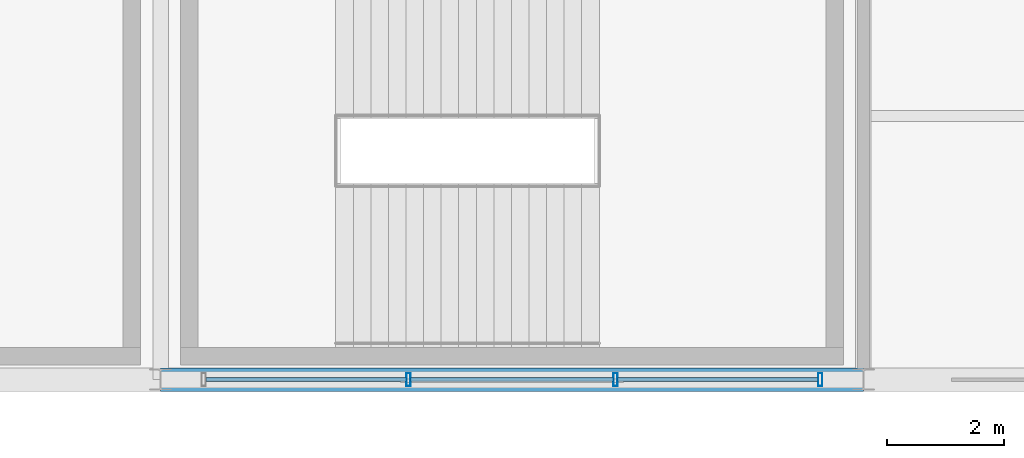
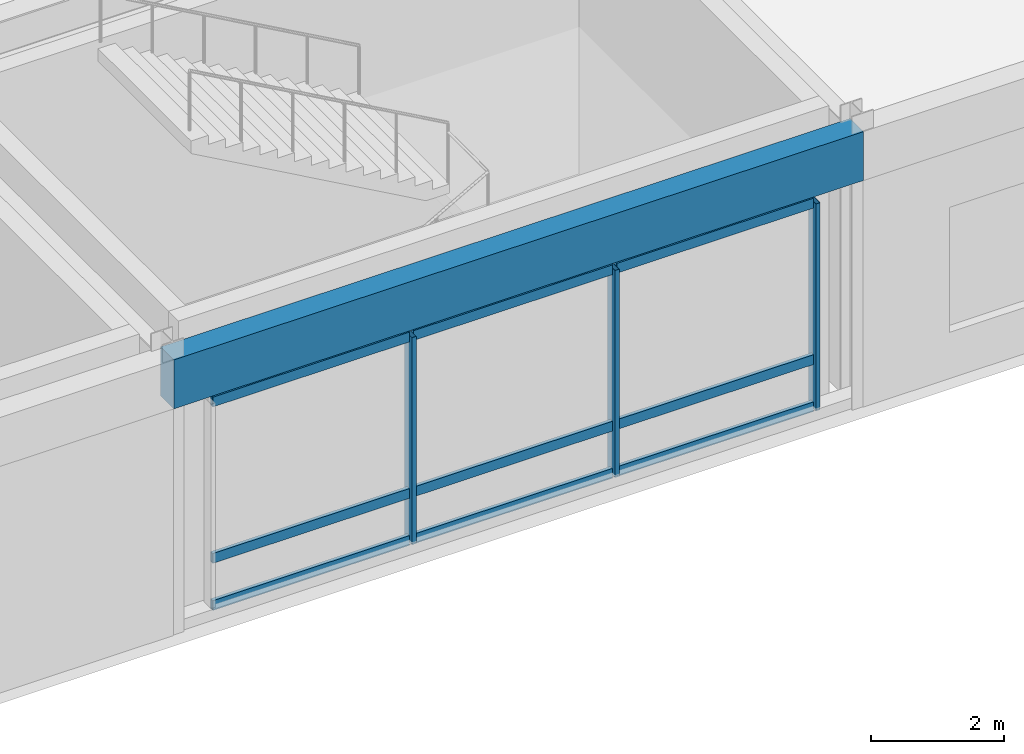
# One storey, part 38 of 100: 12 members, 1 beam, 1 element without a shape of its own.
"""IFC4 building model written with IfcOpenShell, lengths in metres."""

from ifc_helpers import new_model, si_unit, direction, frame, origin, origin_2d, place, context, subcontext, project, spatial, rectangle, hollow_rectangle, extrude, material, material_profile, profile_set, type_object, element, aggregate, save


model = new_model("IFC4")

# Units and contexts
model_context = context("Model", 3, precision=1e-05, world=origin(), true_north=direction((0.0, 1.0)))
body_context = subcontext(model_context, "Body", "Model", "MODEL_VIEW")
ifc_project = project(units=[si_unit("LENGTHUNIT", "METRE"), si_unit("AREAUNIT", "SQUARE_METRE"), si_unit("VOLUMEUNIT", "CUBIC_METRE"), si_unit("PLANEANGLEUNIT", "RADIAN"), si_unit("MASSUNIT", "GRAM", prefix="KILO")], contexts=[model_context])

# Site, building, storey
site_placement = place(None, origin())
site = spatial("IfcSite", under=ifc_project, at=site_placement, CompositionType="ELEMENT")
building_placement = place(site_placement, origin())
building = spatial("IfcBuilding", under=site, at=building_placement, Name="Kaldorvane Square Convention Centre", CompositionType="ELEMENT")
storey_placement = place(building_placement, frame((0.0, 0.0, 18.0)))
storey = spatial("IfcBuildingStorey", under=building, at=storey_placement, Name="L03", CompositionType="ELEMENT", Elevation=18.0)

# Beam
ifc_material_1 = material(Name="Concrete f'c = 42 MPa (Normalweight)", Category="concrete")
ifc_material_profile_1 = material_profile(ifc_material_1, rectangle(XDim=0.399993896484375, YDim=0.899993896484375, at=origin_2d()), Name="RCSP900X400")
ifc_profile_set_1 = profile_set([ifc_material_profile_1], Name="Concrete f'c = 42 MPa (Normalweight)")
beam_type = type_object("IfcBeamType", Name="BM-SP-RC900", PredefinedType="SPANDREL", material=ifc_profile_set_1)
beam_placement = place(storey_placement, frame((126.0, 0.0, 4.626007080078125), z_axis=(1.0, 0.0, 0.0), x_axis=(0.0, 1.0, 0.0)))
element("IfcBeam", 1, at=beam_placement, inside=storey, type_object=beam_type, Name="Perimeter Spandrel (L03)", PredefinedType="SPANDREL", context=body_context, shape_type="SweptSolid", body=[
    extrude(rectangle(XDim=0.399993896484375, YDim=0.899993896484375, at=origin_2d()), origin(), (0.0, 0.0, 1.0), 12.0),
])

# Curtain wall, members
ifc_material_2 = material(Name="Anodized Aluminum and Low-E Insulated Glazing", Category="aluminium")
curtain_wall_type = type_object("IfcCurtainWallType", Name="CW-UNI-P54-12", PredefinedType="USERDEFINED", material=ifc_material_2)
curtain_wall_placement = place(storey_placement, origin())
curtain_wall = element("IfcCurtainWall", 2, at=curtain_wall_placement, inside=storey, type_object=curtain_wall_type, Name="Curtain Wall CW-03 (L03)", ObjectType="UNITISED GLAZING", PredefinedType="USERDEFINED")
ifc_material_profile_2 = material_profile(ifc_material_2, hollow_rectangle(XDim=0.0749969482421875, YDim=0.220001220703125, WallThickness=0.003997802734375, at=origin_2d()), Name="CWM-220X75")
ifc_profile_set_2 = profile_set([ifc_material_profile_2], Name="Anodized Aluminum and Low-E Insulated Glazing")
member_type_1 = type_object("IfcMemberType", Name="CW-MUL-220", PredefinedType="MULLION", material=ifc_profile_set_2)
member_1_placement = place(storey_placement, frame((130.23333740234375, 0.0, 0.149993896484375), z_axis=(0.0, 0.0, 1.0), x_axis=(1.0, 0.0, 0.0)))
member_1 = element("IfcMember", 3, at=member_1_placement, type_object=member_type_1, Name="CW-03 mullion 2", PredefinedType="MULLION", context=body_context, shape_type="SweptSolid", body=[
    extrude(hollow_rectangle(XDim=0.0749969482421875, YDim=0.220001220703125, WallThickness=0.003997802734375, at=origin_2d()), origin(), (0.0, 0.0, 1.0), 3.8100128173828125),
])
member_2_placement = place(storey_placement, frame((133.76666259765625, 0.0, 0.149993896484375), z_axis=(0.0, 0.0, 1.0), x_axis=(1.0, 0.0, 0.0)))
member_2 = element("IfcMember", 4, at=member_2_placement, type_object=member_type_1, Name="CW-03 mullion 3", PredefinedType="MULLION", context=body_context, shape_type="SweptSolid", body=[
    extrude(hollow_rectangle(XDim=0.0749969482421875, YDim=0.220001220703125, WallThickness=0.003997802734375, at=origin_2d()), origin(), (0.0, 0.0, 1.0), 3.8100128173828125),
])
member_3_placement = place(storey_placement, frame((137.2624969482422, 0.0, 0.149993896484375), z_axis=(0.0, 0.0, 1.0), x_axis=(1.0, 0.0, 0.0)))
member_3 = element("IfcMember", 5, at=member_3_placement, type_object=member_type_1, Name="CW-03 mullion 4", PredefinedType="MULLION", context=body_context, shape_type="SweptSolid", body=[
    extrude(hollow_rectangle(XDim=0.0749969482421875, YDim=0.220001220703125, WallThickness=0.003997802734375, at=origin_2d()), origin(), (0.0, 0.0, 1.0), 3.8100128173828125),
])
ifc_material_profile_3 = material_profile(ifc_material_2, hollow_rectangle(XDim=0.06500244140625, YDim=0.17999267578125, WallThickness=0.0034942626953125, at=origin_2d()), Name="CWT-180X65")
ifc_profile_set_3 = profile_set([ifc_material_profile_3], Name="Anodized Aluminum and Low-E Insulated Glazing")
member_type_2 = type_object("IfcMemberType", Name="CW-TRN-180", PredefinedType="USERDEFINED", material=ifc_profile_set_3)
member_4_placement = place(storey_placement, frame((126.77499389648438, 0.0, 0.1824951171875), z_axis=(1.0, 0.0, 0.0), x_axis=(0.0, 1.0, 0.0)))
member_4 = element("IfcMember", 6, at=member_4_placement, type_object=member_type_2, Name="CW-03 transom 1.1", ObjectType="TRANSOM", PredefinedType="USERDEFINED", context=body_context, shape_type="SweptSolid", body=[
    extrude(hollow_rectangle(XDim=0.06500244140625, YDim=0.17999267578125, WallThickness=0.0034942626953125, at=origin_2d()), origin(), (0.0, 0.0, 1.0), 3.42083740234375),
])
member_5_placement = place(storey_placement, frame((126.77499389648438, 0.0, 1.0500030517578125), z_axis=(1.0, 0.0, 0.0), x_axis=(0.0, 1.0, 0.0)))
member_5 = element("IfcMember", 7, at=member_5_placement, type_object=member_type_2, Name="CW-03 transom 1.2", ObjectType="TRANSOM", PredefinedType="USERDEFINED", context=body_context, shape_type="SweptSolid", body=[
    extrude(hollow_rectangle(XDim=0.06500244140625, YDim=0.17999267578125, WallThickness=0.0034942626953125, at=origin_2d()), origin(), (0.0, 0.0, 1.0), 3.42083740234375),
])
member_6_placement = place(storey_placement, frame((126.77499389648438, 0.0, 3.9275054931640625), z_axis=(1.0, 0.0, 0.0), x_axis=(0.0, 1.0, 0.0)))
member_6 = element("IfcMember", 8, at=member_6_placement, type_object=member_type_2, Name="CW-03 transom 1.3", ObjectType="TRANSOM", PredefinedType="USERDEFINED", context=body_context, shape_type="SweptSolid", body=[
    extrude(hollow_rectangle(XDim=0.06500244140625, YDim=0.17999267578125, WallThickness=0.0034942626953125, at=origin_2d()), origin(), (0.0, 0.0, 1.0), 3.42083740234375),
])
member_7_placement = place(storey_placement, frame((130.2708282470703, 0.0, 0.1824951171875), z_axis=(1.0, 0.0, 0.0), x_axis=(0.0, 1.0, 0.0)))
member_7 = element("IfcMember", 9, at=member_7_placement, type_object=member_type_2, Name="CW-03 transom 2.1", ObjectType="TRANSOM", PredefinedType="USERDEFINED", context=body_context, shape_type="SweptSolid", body=[
    extrude(hollow_rectangle(XDim=0.06500244140625, YDim=0.17999267578125, WallThickness=0.0034942626953125, at=origin_2d()), origin(), (0.0, 0.0, 1.0), 3.458343505859375),
])
member_8_placement = place(storey_placement, frame((130.2708282470703, 0.0, 1.0500030517578125), z_axis=(1.0, 0.0, 0.0), x_axis=(0.0, 1.0, 0.0)))
member_8 = element("IfcMember", 10, at=member_8_placement, type_object=member_type_2, Name="CW-03 transom 2.2", ObjectType="TRANSOM", PredefinedType="USERDEFINED", context=body_context, shape_type="SweptSolid", body=[
    extrude(hollow_rectangle(XDim=0.06500244140625, YDim=0.17999267578125, WallThickness=0.0034942626953125, at=origin_2d()), origin(), (0.0, 0.0, 1.0), 3.458343505859375),
])
member_9_placement = place(storey_placement, frame((130.2708282470703, 0.0, 3.9275054931640625), z_axis=(1.0, 0.0, 0.0), x_axis=(0.0, 1.0, 0.0)))
member_9 = element("IfcMember", 11, at=member_9_placement, type_object=member_type_2, Name="CW-03 transom 2.3", ObjectType="TRANSOM", PredefinedType="USERDEFINED", context=body_context, shape_type="SweptSolid", body=[
    extrude(hollow_rectangle(XDim=0.06500244140625, YDim=0.17999267578125, WallThickness=0.0034942626953125, at=origin_2d()), origin(), (0.0, 0.0, 1.0), 3.458343505859375),
])
member_10_placement = place(storey_placement, frame((133.80416870117188, 0.0, 0.1824951171875), z_axis=(1.0, 0.0, 0.0), x_axis=(0.0, 1.0, 0.0)))
member_10 = element("IfcMember", 12, at=member_10_placement, type_object=member_type_2, Name="CW-03 transom 3.1", ObjectType="TRANSOM", PredefinedType="USERDEFINED", context=body_context, shape_type="SweptSolid", body=[
    extrude(hollow_rectangle(XDim=0.06500244140625, YDim=0.17999267578125, WallThickness=0.0034942626953125, at=origin_2d()), origin(), (0.0, 0.0, 1.0), 3.42083740234375),
])
member_11_placement = place(storey_placement, frame((133.80416870117188, 0.0, 1.0500030517578125), z_axis=(1.0, 0.0, 0.0), x_axis=(0.0, 1.0, 0.0)))
member_11 = element("IfcMember", 13, at=member_11_placement, type_object=member_type_2, Name="CW-03 transom 3.2", ObjectType="TRANSOM", PredefinedType="USERDEFINED", context=body_context, shape_type="SweptSolid", body=[
    extrude(hollow_rectangle(XDim=0.06500244140625, YDim=0.17999267578125, WallThickness=0.0034942626953125, at=origin_2d()), origin(), (0.0, 0.0, 1.0), 3.42083740234375),
])
member_12_placement = place(storey_placement, frame((133.80416870117188, 0.0, 3.9275054931640625), z_axis=(1.0, 0.0, 0.0), x_axis=(0.0, 1.0, 0.0)))
member_12 = element("IfcMember", 14, at=member_12_placement, type_object=member_type_2, Name="CW-03 transom 3.3", ObjectType="TRANSOM", PredefinedType="USERDEFINED", context=body_context, shape_type="SweptSolid", body=[
    extrude(hollow_rectangle(XDim=0.06500244140625, YDim=0.17999267578125, WallThickness=0.0034942626953125, at=origin_2d()), origin(), (0.0, 0.0, 1.0), 3.42083740234375),
])
aggregate(curtain_wall, [member_1, member_2, member_3, member_4, member_5, member_6, member_7, member_8, member_9, member_10, member_11, member_12])

save(model, "model.ifc")
